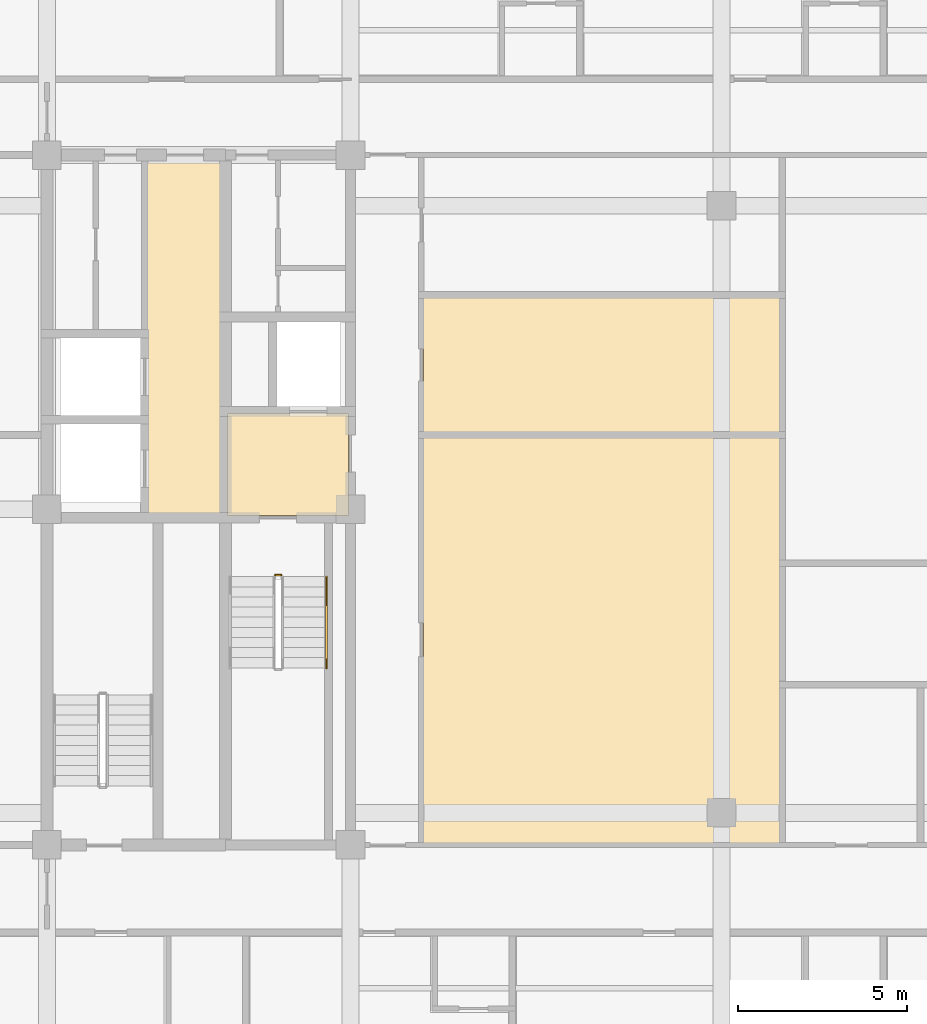
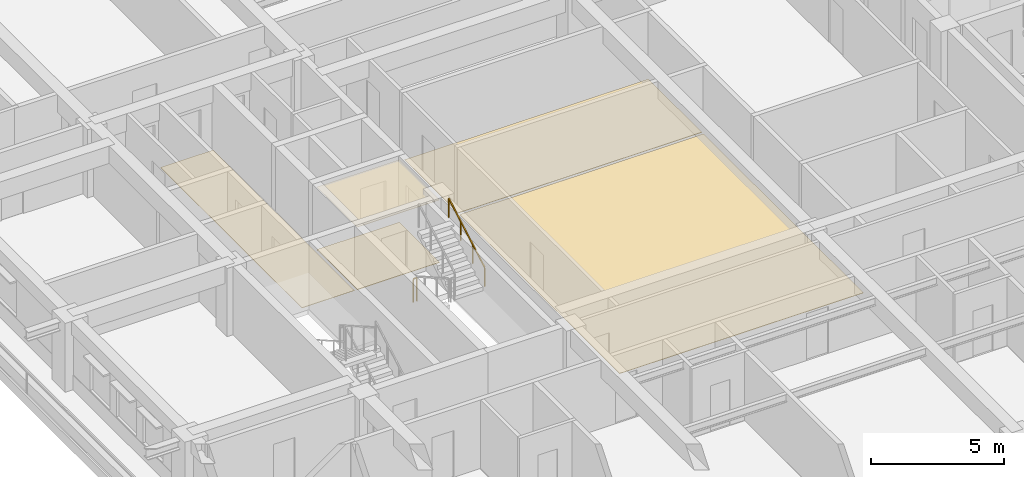
# One storey, part 11 of 14: 5 coverings, 2 railings.
"""IFC4 building model written with IfcOpenShell, lengths in metres."""

from ifc_helpers import new_model, si_unit, direction, frame, origin, origin_2d, place, context, subcontext, project, spatial, polyline, rectangle, outline, extrude, material, layer, layer_set, type_object, element, save


model = new_model("IFC4")

# Units and contexts
model_context = context("Model", 3, precision=1e-05, world=origin(), true_north=direction((0.0, 1.0)))
body_context = subcontext(model_context, "Body", "Model", "MODEL_VIEW")
ifc_project = project(units=[si_unit("LENGTHUNIT", "METRE"), si_unit("AREAUNIT", "SQUARE_METRE"), si_unit("VOLUMEUNIT", "CUBIC_METRE"), si_unit("PLANEANGLEUNIT", "RADIAN"), si_unit("MASSUNIT", "GRAM", prefix="KILO")], contexts=[model_context])

# Site, building, storey
site_placement = place(None, origin())
site = spatial("IfcSite", under=ifc_project, at=site_placement, CompositionType="ELEMENT")
building_placement = place(site_placement, origin())
building = spatial("IfcBuilding", under=site, at=building_placement, Name="Zulmaris Gate Convention Tower", CompositionType="ELEMENT")
storey_placement = place(building_placement, frame((0.0, 0.0, 205.06005859375)))
storey = spatial("IfcBuildingStorey", under=building, at=storey_placement, Name="L53", CompositionType="ELEMENT", Elevation=205.06005859375)

# Coverings
ifc_material_1 = material(Name="Mineral Fibre Acoustic Ceiling Tile")
ifc_layer_1 = layer(ifc_material_1, 0.02001953125, Name="Mineral Fibre Acoustic Ceiling Tile")
ifc_layer_set_1 = layer_set([ifc_layer_1], Name="Mineral Fibre Acoustic Ceiling Tile")
covering_type_1 = type_object("IfcCoveringType", Name="CLG-ACOUSTIC-600", PredefinedType="CEILING", material=ifc_layer_set_1)
covering_1_placement = place(storey_placement, frame((0.0, 0.0, 2.869873046875)))
element("IfcCovering", 1, at=covering_1_placement, inside=storey, type_object=covering_type_1, Name="CLG-L53-R03", PredefinedType="CEILING", context=body_context, shape_type="SweptSolid", body=[
    extrude(outline(polyline([(-14.639892578125, -0.18994140625), (-11.06005859375, -0.18994140625), (-11.06005859375, 2.840087890625), (-14.639892578125, 2.840087890625), (-14.639892578125, -0.18994140625)])), origin(), (0.0, 0.0, 1.0), 0.02001953125),
])
ifc_material_2 = material(Name="Woven Acoustic Wool Carpet Tile")
ifc_layer_2 = layer(ifc_material_2, 0.02001953125, Name="Woven Acoustic Wool Carpet Tile")
ifc_layer_set_2 = layer_set([ifc_layer_2], Name="Woven Acoustic Wool Carpet Tile")
covering_type_2 = type_object("IfcCoveringType", Name="FLR-CARPET-12", PredefinedType="FLOORING", material=ifc_layer_set_2)
covering_2_placement = place(storey_placement, origin())
element("IfcCovering", 2, at=covering_2_placement, inside=storey, type_object=covering_type_2, Name="FLR-L53-R03", PredefinedType="FLOORING", context=body_context, shape_type="SweptSolid", body=[
    extrude(outline(polyline([(-14.639892578125, -0.18994140625), (-11.06005859375, -0.18994140625), (-11.06005859375, 2.840087890625), (-14.639892578125, 2.840087890625), (-14.639892578125, -0.18994140625)])), origin(), (0.0, 0.0, 1.0), 0.02001953125),
])
covering_3_placement = place(storey_placement, origin())
element("IfcCovering", 3, at=covering_3_placement, inside=storey, type_object=covering_type_2, Name="FLR-L53-R21", PredefinedType="FLOORING", context=body_context, shape_type="SweptSolid", body=[
    extrude(outline(polyline([(-17.0400390625, -0.18994140625), (-14.760009765625, -0.18994140625), (-14.760009765625, 10.43994140625), (-17.0400390625, 10.43994140625), (-17.0400390625, -0.18994140625)])), origin(), (0.0, 0.0, 1.0), 0.02001953125),
])
covering_4_placement = place(storey_placement, origin())
element("IfcCovering", 4, at=covering_4_placement, inside=storey, type_object=covering_type_2, Name="FLR-L53-R53", PredefinedType="FLOORING", context=body_context, shape_type="SweptSolid", body=[
    extrude(outline(polyline([(-8.840087890625, -9.889892578125), (1.739990234375, -9.889892578125), (1.739990234375, 2.139892578125), (-8.840087890625, 2.139892578125), (-8.840087890625, -9.889892578125)])), origin(), (0.0, 0.0, 1.0), 0.02001953125),
])
ifc_material_3 = material(Name="Polished Granite Terrazzo Tile", Category="masonry")
ifc_layer_3 = layer(ifc_material_3, 0.02001953125, Name="Polished Granite Terrazzo Tile")
ifc_layer_set_3 = layer_set([ifc_layer_3], Name="Polished Granite Terrazzo Tile")
covering_type_3 = type_object("IfcCoveringType", Name="FLR-TERRAZZO-30", PredefinedType="FLOORING", material=ifc_layer_set_3)
covering_5_placement = place(storey_placement, origin())
element("IfcCovering", 5, at=covering_5_placement, inside=storey, type_object=covering_type_3, Name="FLR-L53-R52", PredefinedType="FLOORING", context=body_context, shape_type="SweptSolid", body=[
    extrude(outline(polyline([(-8.840087890625, 2.260009765625), (1.739990234375, 2.260009765625), (1.739990234375, 6.2900390625), (-8.840087890625, 6.2900390625), (-8.840087890625, 2.260009765625)])), origin(), (0.0, 0.0, 1.0), 0.02001953125),
])

# Railings
ifc_material_4 = material(Name="Painted Galvanised Steel", Category="steel")
railing_type_1 = type_object("IfcRailingType", Name="RL-STG-1150", PredefinedType="GUARDRAIL", material=ifc_material_4)
railing_1_placement = place(storey_placement, frame((-13.219970703125, -1.949951171875, 0.0)))
element("IfcRailing", 6, at=railing_1_placement, inside=storey, type_object=railing_type_1, Name="L53 ST-1 stair guard 4", PredefinedType="GUARDRAIL", context=body_context, shape_type="SweptSolid", body=[
    extrude(rectangle(XDim=0.048095703125, YDim=0.048095703125, at=origin_2d()), frame((0.0, 0.0, 1.076171875), z_axis=(1.0, 0.0, 0.0), x_axis=(0.0, 1.0, 0.0)), (0.0, 0.0, 1.0), 0.159912109375),
    extrude(rectangle(XDim=0.0419921875, YDim=0.0419921875, at=origin_2d()), origin(), (0.0, 0.0, 1.0), 1.052001953125),
    extrude(rectangle(XDim=0.0419921875, YDim=0.0419921875, at=origin_2d()), frame((0.159912109375, 0.0, 0.0)), (0.0, 0.0, 1.0), 1.052001953125),
])
ifc_material_5 = material(Name="Brushed Stainless Steel", Category="steel")
railing_type_2 = type_object("IfcRailingType", Name="RL-STH-900", PredefinedType="HANDRAIL", material=ifc_material_5)
railing_2_placement = place(storey_placement, frame((-11.7099609375, -4.699951171875, 1.869873046875)))
element("IfcRailing", 7, at=railing_2_placement, inside=storey, type_object=railing_type_2, Name="L53 ST-1 stair handrail 2", PredefinedType="HANDRAIL", context=body_context, shape_type="SweptSolid", body=[
    extrude(rectangle(XDim=0.048095703125, YDim=0.048095703125, at=origin_2d()), frame((0.0, 0.0, 0.8759765625), z_axis=(0.0, 0.870014312096, 0.49302646658), x_axis=(-1.0, 0.0, 0.0)), (0.0, 0.0, 1.0), 3.103271484375),
    extrude(rectangle(XDim=0.0419921875, YDim=0.0419921875, at=origin_2d()), origin(), (0.0, 0.0, 1.0), 0.851806640625),
    extrude(rectangle(XDim=0.0419921875, YDim=0.0419921875, at=origin_2d()), frame((0.0, 0.89990234375, 0.510009765625)), (0.0, 0.0, 1.0), 0.851806640625),
    extrude(rectangle(XDim=0.0419921875, YDim=0.0419921875, at=origin_2d()), frame((0.0, 1.800048828125, 1.02001953125)), (0.0, 0.0, 1.0), 0.851806640625),
    extrude(rectangle(XDim=0.0419921875, YDim=0.0419921875, at=origin_2d()), frame((0.0, 2.699951171875, 1.530029296875)), (0.0, 0.0, 1.0), 0.851806640625),
])

save(model, "model.ifc")
